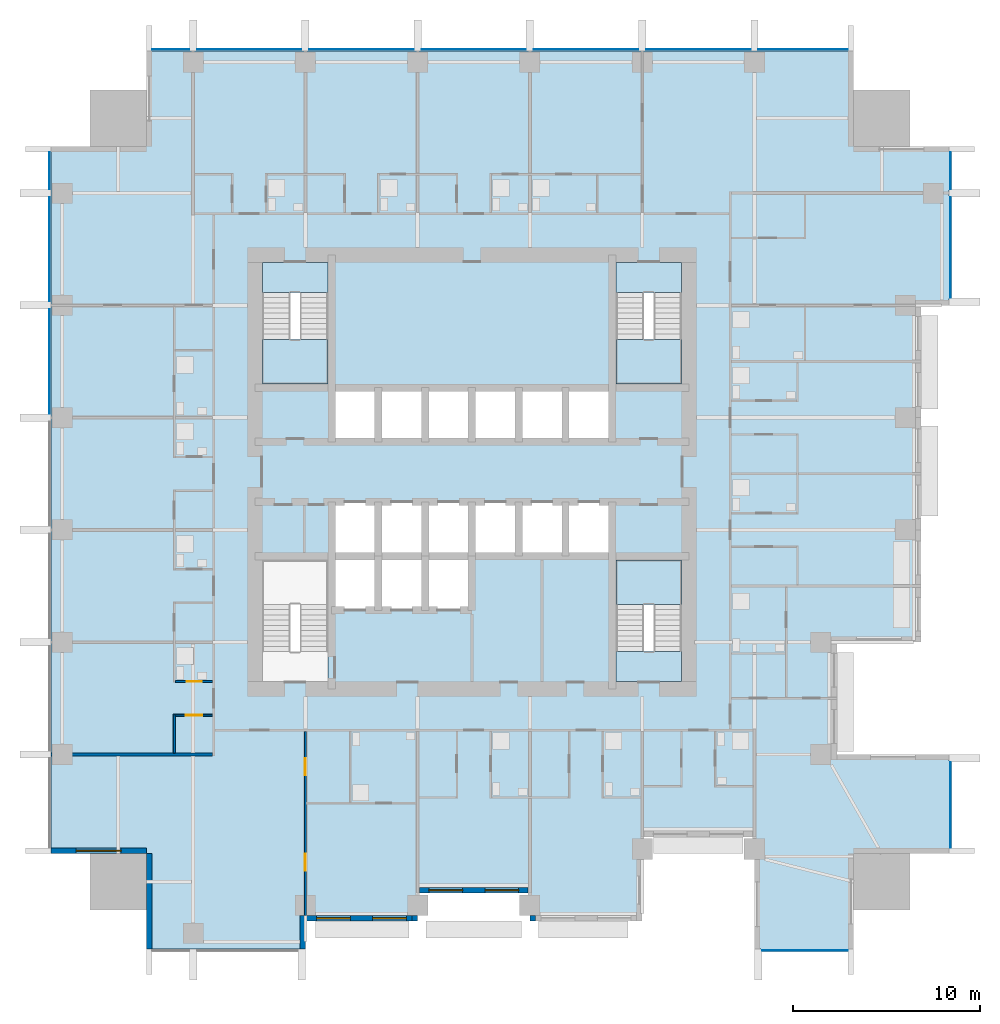
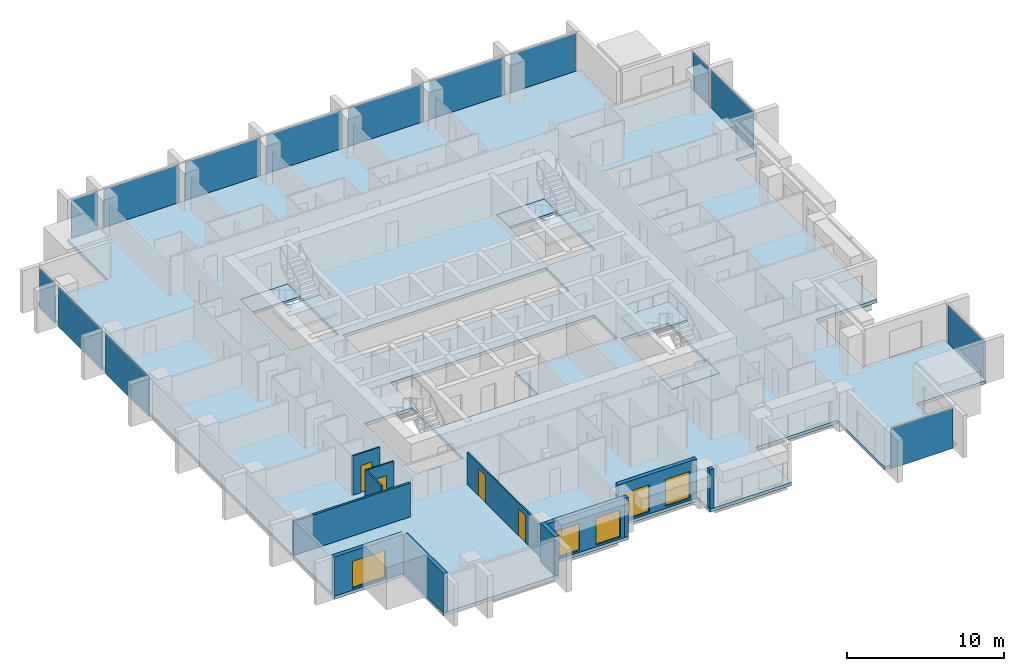
# One storey, part 3 of 11: 14 plates, 12 walls, 7 slabs, 5 windows, 4 doors, 9 openings, 8 elements without a shape of their own.
"""IFC4 building model written with IfcOpenShell, lengths in metres."""

from ifc_helpers import new_model, si_unit, direction, frame, frame_2d, origin, origin_2d, place, context, subcontext, project, spatial, polyline, rectangle, outline, extrude, material, layer, layer_set, type_object, element, fill, aggregate, save


model = new_model("IFC4")

# Units and contexts
model_context = context("Model", 3, precision=1e-05, world=origin(), true_north=direction((0.0, 1.0)))
body_context = subcontext(model_context, "Body", "Model", "MODEL_VIEW")
ifc_project = project(units=[si_unit("LENGTHUNIT", "METRE"), si_unit("AREAUNIT", "SQUARE_METRE"), si_unit("VOLUMEUNIT", "CUBIC_METRE"), si_unit("PLANEANGLEUNIT", "RADIAN"), si_unit("MASSUNIT", "GRAM", prefix="KILO")], contexts=[model_context])

# Site, building, storey
site_placement = place(None, origin())
site = spatial("IfcSite", under=ifc_project, at=site_placement, CompositionType="ELEMENT")
building_placement = place(site_placement, origin())
building = spatial("IfcBuilding", under=site, at=building_placement, Name="Amberfall Residences", CompositionType="ELEMENT")
storey_placement = place(building_placement, frame((0.0, 0.0, 95.199951171875)))
storey = spatial("IfcBuildingStorey", under=building, at=storey_placement, Name="L25", CompositionType="ELEMENT", Elevation=95.199951171875)

# Curtain wall, plate
ifc_material_1 = material(Name="Bronze anodised aluminium and glass", Category="aluminium")
curtain_wall_type = type_object("IfcCurtainWallType", Name="Curtain wall CW1 tower unit", PredefinedType="USERDEFINED", material=ifc_material_1)
curtain_wall_1_placement = place(storey_placement, origin())
curtain_wall_1 = element("IfcCurtainWall", 1, at=curtain_wall_1_placement, inside=storey, type_object=curtain_wall_type, Name="Curtain wall L25 S S11", ObjectType="UNITISED CURTAIN WALL", PredefinedType="USERDEFINED")
ifc_material_2 = material(Name="Tinted double glazed unit", Category="glass")
ifc_layer_1 = layer(ifc_material_2, 0.035888671875)
ifc_layer_set_1 = layer_set([ifc_layer_1], Name="CW1 panel 36 glazing")
plate_type = type_object("IfcPlateType", Name="CW1 panel 36 glazing", PredefinedType="CURTAIN_PANEL", material=ifc_layer_set_1)
plate_1_placement = place(storey_placement, frame((92.300048828125, 19.925048828125, -0.25), z_axis=(0.0, 0.0, 1.0), x_axis=(1.0, 0.0, 0.0)))
plate_1 = element("IfcPlate", 2, at=plate_1_placement, type_object=plate_type, Name="CW1 panel 1.1", PredefinedType="CURTAIN_PANEL", context=body_context, shape_type="SweptSolid", body=[
    extrude(rectangle(XDim=4.575927734375, YDim=0.035888671875, at=origin_2d()), origin(), (0.0, 0.0, 1.0), 3.14990234375),
])
aggregate(curtain_wall_1, [plate_1])

curtain_wall_2_placement = place(storey_placement, origin())
curtain_wall_2 = element("IfcCurtainWall", 3, at=curtain_wall_2_placement, inside=storey, type_object=curtain_wall_type, Name="Curtain wall L25 E E1", ObjectType="UNITISED CURTAIN WALL", PredefinedType="USERDEFINED")
plate_2_placement = place(storey_placement, frame((100.074951171875, 27.699951171875, -0.25), z_axis=(0.0, 0.0, 1.0), x_axis=(0.0, 1.0, 0.0)))
plate_2 = element("IfcPlate", 4, at=plate_2_placement, type_object=plate_type, Name="CW1 panel 1.1", PredefinedType="CURTAIN_PANEL", context=body_context, shape_type="SweptSolid", body=[
    extrude(rectangle(XDim=4.575927734375, YDim=0.035888671875, at=origin_2d()), origin(), (0.0, 0.0, 1.0), 3.14990234375),
])
aggregate(curtain_wall_2, [plate_2])

# Curtain wall, plates
curtain_wall_3_placement = place(storey_placement, origin())
curtain_wall_3 = element("IfcCurtainWall", 5, at=curtain_wall_3_placement, inside=storey, type_object=curtain_wall_type, Name="Curtain wall L25 E E9", ObjectType="UNITISED CURTAIN WALL", PredefinedType="USERDEFINED")
plate_3_placement = place(storey_placement, frame((100.074951171875, 57.5, -0.25), z_axis=(0.0, 0.0, 1.0), x_axis=(0.0, 1.0, 0.0)))
plate_3 = element("IfcPlate", 6, at=plate_3_placement, type_object=plate_type, Name="CW1 panel 1.1", PredefinedType="CURTAIN_PANEL", context=body_context, shape_type="SweptSolid", body=[
    extrude(rectangle(XDim=5.3759765625, YDim=0.035888671875, at=origin_2d()), origin(), (0.0, 0.0, 1.0), 3.14990234375),
])
plate_4_placement = place(storey_placement, frame((100.074951171875, 61.60009765625, -0.25), z_axis=(0.0, 0.0, 1.0), x_axis=(0.0, 1.0, 0.0)))
plate_4 = element("IfcPlate", 7, at=plate_4_placement, type_object=plate_type, Name="CW1 panel 2.1", PredefinedType="CURTAIN_PANEL", context=body_context, shape_type="SweptSolid", body=[
    extrude(rectangle(XDim=1.97607421875, YDim=0.035888671875, at=origin_2d()), origin(), (0.0, 0.0, 1.0), 3.14990234375),
])
aggregate(curtain_wall_3, [plate_3, plate_4])

curtain_wall_4_placement = place(storey_placement, origin())
curtain_wall_4 = element("IfcCurtainWall", 8, at=curtain_wall_4_placement, inside=storey, type_object=curtain_wall_type, Name="Curtain wall L25 N N1", ObjectType="UNITISED CURTAIN WALL", PredefinedType="USERDEFINED")
plate_5_placement = place(storey_placement, frame((92.199951171875, 68.074951171875, -0.25), z_axis=(0.0, 0.0, 1.0), x_axis=(-1.0, 0.0, 0.0)))
plate_5 = element("IfcPlate", 9, at=plate_5_placement, type_object=plate_type, Name="CW1 panel 1.1", PredefinedType="CURTAIN_PANEL", context=body_context, shape_type="SweptSolid", body=[
    extrude(rectangle(XDim=4.77587890625, YDim=0.035888671875, at=origin_2d()), origin(), (0.0, 0.0, 1.0), 3.14990234375),
])
plate_6_placement = place(storey_placement, frame((86.60009765625, 68.074951171875, -0.25), z_axis=(0.0, 0.0, 1.0), x_axis=(-1.0, 0.0, 0.0)))
plate_6 = element("IfcPlate", 10, at=plate_6_placement, type_object=plate_type, Name="CW1 panel 2.1", PredefinedType="CURTAIN_PANEL", context=body_context, shape_type="SweptSolid", body=[
    extrude(rectangle(XDim=5.575927734375, YDim=0.035888671875, at=origin_2d()), origin(), (0.0, 0.0, 1.0), 3.14990234375),
])
plate_7_placement = place(storey_placement, frame((80.60009765625, 68.074951171875, -0.25), z_axis=(0.0, 0.0, 1.0), x_axis=(-1.0, 0.0, 0.0)))
plate_7 = element("IfcPlate", 11, at=plate_7_placement, type_object=plate_type, Name="CW1 panel 3.1", PredefinedType="CURTAIN_PANEL", context=body_context, shape_type="SweptSolid", body=[
    extrude(rectangle(XDim=5.575927734375, YDim=0.035888671875, at=origin_2d()), origin(), (0.0, 0.0, 1.0), 3.14990234375),
])
plate_8_placement = place(storey_placement, frame((74.60009765625, 68.074951171875, -0.25), z_axis=(0.0, 0.0, 1.0), x_axis=(-1.0, 0.0, 0.0)))
plate_8 = element("IfcPlate", 12, at=plate_8_placement, type_object=plate_type, Name="CW1 panel 4.1", PredefinedType="CURTAIN_PANEL", context=body_context, shape_type="SweptSolid", body=[
    extrude(rectangle(XDim=5.575927734375, YDim=0.035888671875, at=origin_2d()), origin(), (0.0, 0.0, 1.0), 3.14990234375),
])
plate_9_placement = place(storey_placement, frame((68.60009765625, 68.074951171875, -0.25), z_axis=(0.0, 0.0, 1.0), x_axis=(-1.0, 0.0, 0.0)))
plate_9 = element("IfcPlate", 13, at=plate_9_placement, type_object=plate_type, Name="CW1 panel 5.1", PredefinedType="CURTAIN_PANEL", context=body_context, shape_type="SweptSolid", body=[
    extrude(rectangle(XDim=5.575927734375, YDim=0.035888671875, at=origin_2d()), origin(), (0.0, 0.0, 1.0), 3.14990234375),
])
plate_10_placement = place(storey_placement, frame((62.60009765625, 68.074951171875, -0.25), z_axis=(0.0, 0.0, 1.0), x_axis=(-1.0, 0.0, 0.0)))
plate_10 = element("IfcPlate", 14, at=plate_10_placement, type_object=plate_type, Name="CW1 panel 6.1", PredefinedType="CURTAIN_PANEL", context=body_context, shape_type="SweptSolid", body=[
    extrude(rectangle(XDim=5.575927734375, YDim=0.035888671875, at=origin_2d()), origin(), (0.0, 0.0, 1.0), 3.14990234375),
])
plate_11_placement = place(storey_placement, frame((58.39990234375, 68.074951171875, -0.25), z_axis=(0.0, 0.0, 1.0), x_axis=(-1.0, 0.0, 0.0)))
plate_11 = element("IfcPlate", 15, at=plate_11_placement, type_object=plate_type, Name="CW1 panel 7.1", PredefinedType="CURTAIN_PANEL", context=body_context, shape_type="SweptSolid", body=[
    extrude(rectangle(XDim=1.97607421875, YDim=0.035888671875, at=origin_2d()), origin(), (0.0, 0.0, 1.0), 3.14990234375),
])
aggregate(curtain_wall_4, [plate_5, plate_6, plate_7, plate_8, plate_9, plate_10, plate_11])

curtain_wall_5_placement = place(storey_placement, origin())
curtain_wall_5 = element("IfcCurtainWall", 16, at=curtain_wall_5_placement, inside=storey, type_object=curtain_wall_type, Name="Curtain wall L25 W W1", ObjectType="UNITISED CURTAIN WALL", PredefinedType="USERDEFINED")
plate_12_placement = place(storey_placement, frame((51.925048828125, 61.60009765625, -0.25), z_axis=(0.0, 0.0, 1.0), x_axis=(0.0, -1.0, 0.0)))
plate_12 = element("IfcPlate", 17, at=plate_12_placement, type_object=plate_type, Name="CW1 panel 1.1", PredefinedType="CURTAIN_PANEL", context=body_context, shape_type="SweptSolid", body=[
    extrude(rectangle(XDim=1.97607421875, YDim=0.035888671875, at=origin_2d()), origin(), (0.0, 0.0, 1.0), 3.14990234375),
])
plate_13_placement = place(storey_placement, frame((51.925048828125, 57.39990234375, -0.25), z_axis=(0.0, 0.0, 1.0), x_axis=(0.0, -1.0, 0.0)))
plate_13 = element("IfcPlate", 18, at=plate_13_placement, type_object=plate_type, Name="CW1 panel 2.1", PredefinedType="CURTAIN_PANEL", context=body_context, shape_type="SweptSolid", body=[
    extrude(rectangle(XDim=5.575927734375, YDim=0.035888671875, at=origin_2d()), origin(), (0.0, 0.0, 1.0), 3.14990234375),
])
plate_14_placement = place(storey_placement, frame((51.925048828125, 51.39990234375, -0.25), z_axis=(0.0, 0.0, 1.0), x_axis=(0.0, -1.0, 0.0)))
plate_14 = element("IfcPlate", 19, at=plate_14_placement, type_object=plate_type, Name="CW1 panel 3.1", PredefinedType="CURTAIN_PANEL", context=body_context, shape_type="SweptSolid", body=[
    extrude(rectangle(XDim=5.575927734375, YDim=0.035888671875, at=origin_2d()), origin(), (0.0, 0.0, 1.0), 3.14990234375),
])
aggregate(curtain_wall_5, [plate_12, plate_13, plate_14])

# Slab
ifc_material_3 = material(Name="Concrete C70", Category="concrete")
ifc_layer_2 = layer(ifc_material_3, 0.25)
ifc_layer_set_2 = layer_set([ifc_layer_2], Name="Floor slab 250 C70")
slab_type_1 = type_object("IfcSlabType", Name="Floor slab 250 C70", PredefinedType="FLOOR", material=ifc_layer_set_2)
slab_1_placement = place(storey_placement, frame((0.0, 0.0, -0.25)))
element("IfcSlab", 20, at=slab_1_placement, inside=storey, type_object=slab_type_1, Name="Floor slab S7 L25", PredefinedType="FLOOR", context=body_context, shape_type="SweptSolid", body=[
    extrude(outline(polyline([(89.60009765625, 20.0), (89.60009765625, 26.0), (83.60009765625, 26.0), (83.60009765625, 21.5), (77.60009765625, 21.5), (77.60009765625, 23.0), (71.60009765625, 23.0), (71.60009765625, 21.5), (65.60009765625, 21.5), (65.60009765625, 20.0), (57.10009765625, 20.0), (57.10009765625, 25.10009765625), (52.0, 25.10009765625), (52.0, 62.89990234375), (57.10009765625, 62.89990234375), (57.10009765625, 68.0), (94.89990234375, 68.0), (94.89990234375, 62.89990234375), (100.0, 62.89990234375), (100.0, 54.39990234375), (98.5, 54.39990234375), (98.5, 48.39990234375), (98.5, 42.39990234375), (98.5, 36.39990234375), (94.0, 36.39990234375), (94.0, 30.39990234375), (100.0, 30.39990234375), (100.0, 25.10009765625), (94.89990234375, 25.10009765625), (94.89990234375, 20.0), (89.60009765625, 20.0)]), holes=[polyline([(85.699951171875, 34.300048828125), (85.699951171875, 40.800048828125), (82.199951171875, 40.800048828125), (82.199951171875, 34.300048828125), (85.699951171875, 34.300048828125)]), polyline([(82.199951171875, 50.199951171875), (85.699951171875, 50.199951171875), (85.699951171875, 56.699951171875), (82.199951171875, 56.699951171875), (82.199951171875, 50.199951171875)]), polyline([(69.5, 50.0), (67.0, 50.0), (67.0, 47.10009765625), (69.5, 47.10009765625), (72.0, 47.10009765625), (74.5, 47.10009765625), (77.0, 47.10009765625), (79.5, 47.10009765625), (82.0, 47.10009765625), (82.0, 50.0), (79.5, 50.0), (77.0, 50.0), (74.5, 50.0), (72.0, 50.0), (69.5, 50.0)]), polyline([(74.5, 41.0), (77.0, 41.0), (79.5, 41.0), (82.0, 41.0), (82.0, 43.89990234375), (79.5, 43.89990234375), (77.0, 43.89990234375), (74.5, 43.89990234375), (72.0, 43.89990234375), (69.5, 43.89990234375), (67.0, 43.89990234375), (67.0, 41.0), (67.0, 38.10009765625), (69.5, 38.10009765625), (72.0, 38.10009765625), (74.5, 38.10009765625), (74.5, 41.0)]), polyline([(66.800048828125, 34.300048828125), (66.800048828125, 40.800048828125), (63.300048828125, 40.800048828125), (63.300048828125, 34.300048828125), (66.800048828125, 34.300048828125)]), polyline([(66.800048828125, 50.199951171875), (66.800048828125, 56.699951171875), (63.300048828125, 56.699951171875), (63.300048828125, 50.199951171875), (66.800048828125, 50.199951171875)])]), origin(), (0.0, 0.0, 1.0), 0.25),
])

# Stair, slabs
ifc_material_4 = material(Name="Concrete C40", Category="concrete")
stair_type = type_object("IfcStairType", Name="Exit stair 20 risers 165.0 mm", PredefinedType="HALF_TURN_STAIR", material=ifc_material_4)
stair_1_placement = place(storey_placement, origin())
stair_1 = element("IfcStair", 21, at=stair_1_placement, inside=storey, type_object=stair_type, Name="L25 Exit stair 2", PredefinedType="HALF_TURN_STAIR")
ifc_layer_3 = layer(ifc_material_4, 0.199951171875)
ifc_layer_set_3 = layer_set([ifc_layer_3], Name="Stair landing 200")
slab_type_2 = type_object("IfcSlabType", Name="Stair landing 200", PredefinedType="LANDING", material=ifc_layer_set_3)
slab_2_placement = place(storey_placement, frame((0.0, 0.0, 1.449951171875)))
slab_2 = element("IfcSlab", 22, at=slab_2_placement, type_object=slab_type_2, Name="ST3 landing 1", PredefinedType="LANDING", context=body_context, shape_type="SweptSolid", body=[
    extrude(outline(polyline([(85.699951171875, 38.419921875), (85.699951171875, 40.800048828125), (82.199951171875, 40.800048828125), (82.199951171875, 38.419921875), (85.699951171875, 38.419921875)])), origin(), (0.0, 0.0, 1.0), 0.2001953125),
])
slab_3_placement = place(storey_placement, frame((0.0, 0.0, -0.199951171875)))
slab_3 = element("IfcSlab", 23, at=slab_3_placement, type_object=slab_type_2, Name="ST3 landing 2", PredefinedType="LANDING", context=body_context, shape_type="SweptSolid", body=[
    extrude(outline(polyline([(85.699951171875, 34.300048828125), (85.699951171875, 35.89990234375), (82.199951171875, 35.89990234375), (82.199951171875, 34.300048828125), (85.699951171875, 34.300048828125)])), origin(), (0.0, 0.0, 1.0), 0.199951171875),
])
aggregate(stair_1, [slab_2, slab_3])

stair_2_placement = place(storey_placement, origin())
stair_2 = element("IfcStair", 24, at=stair_2_placement, inside=storey, type_object=stair_type, Name="L25 Exit stair 3", PredefinedType="HALF_TURN_STAIR")
slab_4_placement = place(storey_placement, frame((0.0, 0.0, 1.449951171875)))
slab_4 = element("IfcSlab", 25, at=slab_4_placement, type_object=slab_type_2, Name="ST3 landing 1", PredefinedType="LANDING", context=body_context, shape_type="SweptSolid", body=[
    extrude(outline(polyline([(82.199951171875, 52.580078125), (82.199951171875, 50.199951171875), (85.699951171875, 50.199951171875), (85.699951171875, 52.580078125), (82.199951171875, 52.580078125)])), origin(), (0.0, 0.0, 1.0), 0.2001953125),
])
slab_5_placement = place(storey_placement, frame((0.0, 0.0, -0.199951171875)))
slab_5 = element("IfcSlab", 26, at=slab_5_placement, type_object=slab_type_2, Name="ST3 landing 2", PredefinedType="LANDING", context=body_context, shape_type="SweptSolid", body=[
    extrude(outline(polyline([(82.199951171875, 56.699951171875), (82.199951171875, 55.10009765625), (85.699951171875, 55.10009765625), (85.699951171875, 56.699951171875), (82.199951171875, 56.699951171875)])), origin(), (0.0, 0.0, 1.0), 0.199951171875),
])
aggregate(stair_2, [slab_4, slab_5])

stair_3_placement = place(storey_placement, origin())
stair_3 = element("IfcStair", 27, at=stair_3_placement, inside=storey, type_object=stair_type, Name="L25 Exit stair 4", PredefinedType="HALF_TURN_STAIR")
slab_6_placement = place(storey_placement, frame((0.0, 0.0, 1.449951171875)))
slab_6 = element("IfcSlab", 28, at=slab_6_placement, type_object=slab_type_2, Name="ST3 landing 1", PredefinedType="LANDING", context=body_context, shape_type="SweptSolid", body=[
    extrude(outline(polyline([(63.300048828125, 52.580078125), (63.300048828125, 50.199951171875), (66.800048828125, 50.199951171875), (66.800048828125, 52.580078125), (63.300048828125, 52.580078125)])), origin(), (0.0, 0.0, 1.0), 0.2001953125),
])
slab_7_placement = place(storey_placement, frame((0.0, 0.0, -0.199951171875)))
slab_7 = element("IfcSlab", 29, at=slab_7_placement, type_object=slab_type_2, Name="ST3 landing 2", PredefinedType="LANDING", context=body_context, shape_type="SweptSolid", body=[
    extrude(outline(polyline([(63.300048828125, 56.699951171875), (63.300048828125, 55.10009765625), (66.800048828125, 55.10009765625), (66.800048828125, 56.699951171875), (63.300048828125, 56.699951171875)])), origin(), (0.0, 0.0, 1.0), 0.199951171875),
])
aggregate(stair_3, [slab_6, slab_7])

# Walls
ifc_material_5 = material(Name="Pale stone cladding on insulated backing", Category="masonry")
ifc_layer_4 = layer(ifc_material_5, 0.300048828125)
ifc_layer_set_4 = layer_set([ifc_layer_4], Name="Bronze clad wall 300")
wall_type_1 = type_object("IfcWallType", Name="Bronze clad wall 300", PredefinedType="SOLIDWALL", material=ifc_layer_set_4)
wall_1_placement = place(storey_placement, frame((65.449951171875, 20.0, 0.0), z_axis=(0.0, 0.0, 1.0), x_axis=(0.0, 1.0, 0.0)))
element("IfcWall", 30, at=wall_1_placement, inside=storey, type_object=wall_type_1, Name="External wall L25 S", PredefinedType="SOLIDWALL", context=body_context, shape_type="SweptSolid", body=[
    extrude(rectangle(XDim=1.800048828125, YDim=0.300048828125, at=frame_2d((0.89990234375, 0.0))), origin(), (0.0, 0.0, 1.0), 3.050048828125),
])
for number, where, z_axis, x_axis, name in (
    (31, (71.449951171875, 21.5, 0.0), (0.0, 0.0, 1.0), (0.0, 1.0, 0.0), "External wall L25 S"),
    (32, (77.75, 21.800048828125, 0.0), (0.0, 0.0, 1.0), (0.0, -1.0, 0.0), "External wall L25 S"),
):
    element("IfcWall", number, at=place(storey_placement, frame(where, z_axis=z_axis, x_axis=x_axis)), inside=storey, type_object=wall_type_1, Name=name, PredefinedType="SOLIDWALL", context=body_context, shape_type="SweptSolid", body=[
        extrude(rectangle(XDim=0.300048828125, YDim=0.300048828125, at=frame_2d((0.14990234375, 0.0))), origin(), (0.0, 0.0, 1.0), 3.050048828125),
    ])

# Wall, opening, window
wall_2_placement = place(storey_placement, frame((52.0, 25.25, 0.0), z_axis=(0.0, 0.0, 1.0), x_axis=(1.0, 0.0, 0.0)))
wall_2 = element("IfcWall", 33, at=wall_2_placement, inside=storey, type_object=wall_type_1, Name="External wall L25 SW", PredefinedType="SOLIDWALL", context=body_context, shape_type="SweptSolid", body=[
    extrude(rectangle(XDim=5.10009765625, YDim=0.300048828125, at=frame_2d((2.550048828125, 0.0))), origin(), (0.0, 0.0, 1.0), 3.050048828125),
])
opening_1_placement = place(wall_2_placement, frame((1.35009765625, 0.0, 0.14990234375)))
opening_1 = element("IfcOpeningElement", 34, at=opening_1_placement, cuts=wall_2, Name="Opening WN5", PredefinedType="OPENING", context=body_context, shape_type="SweptSolid", body=[
    extrude(rectangle(XDim=2.39990234375, YDim=2.10009765625, at=frame_2d((1.199951171875, 1.050048828125))), frame((0.0, 0.159912109375, 0.0), z_axis=(0.0, -1.0, 0.0), x_axis=(1.0, 0.0, 0.0)), (0.0, 0.0, 1.0), 0.320068359375),
])
ifc_material_6 = material(Name="Bronze aluminium framed glazing", Category="aluminium")
window_type_1 = type_object("IfcWindowType", Name="Glazed opening 2400 x 2100 bronze", PartitioningType="DOUBLE_PANEL_VERTICAL", PredefinedType="WINDOW", material=ifc_material_6)
window_1_placement = place(opening_1_placement, origin())
window_1 = element("IfcWindow", 35, at=window_1_placement, inside=storey, type_object=window_type_1, Name="Window L25 SW", OverallHeight=2.10009765625, OverallWidth=2.39990234375, PartitioningType="DOUBLE_PANEL_VERTICAL", PredefinedType="WINDOW", context=body_context, shape_type="SweptSolid", body=[
    extrude(rectangle(XDim=2.39990234375, YDim=2.10009765625, at=frame_2d((1.199951171875, 1.050048828125))), frame((0.0, 0.030029296875, 0.0), z_axis=(0.0, -1.0, 0.0), x_axis=(1.0, 0.0, 0.0)), (0.0, 0.0, 1.0), 0.06005859375),
])
fill(opening_1, window_1)

# Wall
wall_3_placement = place(storey_placement, frame((57.25, 25.10009765625, 0.0), z_axis=(0.0, 0.0, 1.0), x_axis=(0.0, -1.0, 0.0)))
element("IfcWall", 36, at=wall_3_placement, inside=storey, type_object=wall_type_1, Name="External wall L25 SW", PredefinedType="SOLIDWALL", context=body_context, shape_type="SweptSolid", body=[
    extrude(rectangle(XDim=5.10009765625, YDim=0.300048828125, at=frame_2d((2.550048828125, 0.0))), origin(), (0.0, 0.0, 1.0), 3.050048828125),
])

# Wall, openings, windows
wall_4_placement = place(storey_placement, frame((65.60009765625, 21.64990234375, 0.0), z_axis=(0.0, 0.0, 1.0), x_axis=(1.0, 0.0, 0.0)))
wall_4 = element("IfcWall", 37, at=wall_4_placement, inside=storey, type_object=wall_type_1, Name="Stone wall L25 S", PredefinedType="SOLIDWALL", context=body_context, shape_type="SweptSolid", body=[
    extrude(rectangle(XDim=5.699951171875, YDim=0.300048828125, at=frame_2d((2.85009765625, 0.0))), origin(), (0.0, 0.0, 1.0), 3.050048828125),
])
opening_2_placement = place(wall_4_placement, frame((0.60009765625, 0.0, 0.14990234375)))
opening_2 = element("IfcOpeningElement", 38, at=opening_2_placement, cuts=wall_4, Name="Opening WN6", PredefinedType="OPENING", context=body_context, shape_type="SweptSolid", body=[
    extrude(rectangle(XDim=1.800048828125, YDim=2.10009765625, at=frame_2d((0.89990234375, 1.050048828125))), frame((0.0, 0.159912109375, 0.0), z_axis=(0.0, -1.0, 0.0), x_axis=(1.0, 0.0, 0.0)), (0.0, 0.0, 1.0), 0.320068359375),
])
opening_3_placement = place(wall_4_placement, frame((3.60009765625, 0.0, 0.14990234375)))
opening_3 = element("IfcOpeningElement", 39, at=opening_3_placement, cuts=wall_4, Name="Opening WN6", PredefinedType="OPENING", context=body_context, shape_type="SweptSolid", body=[
    extrude(rectangle(XDim=1.800048828125, YDim=2.10009765625, at=frame_2d((0.89990234375, 1.050048828125))), frame((0.0, 0.159912109375, 0.0), z_axis=(0.0, -1.0, 0.0), x_axis=(1.0, 0.0, 0.0)), (0.0, 0.0, 1.0), 0.320068359375),
])
window_type_2 = type_object("IfcWindowType", Name="Glazed opening 1800 x 2100 bronze", PartitioningType="DOUBLE_PANEL_VERTICAL", PredefinedType="WINDOW", material=ifc_material_6)
window_2_placement = place(opening_2_placement, origin())
window_2 = element("IfcWindow", 40, at=window_2_placement, inside=storey, type_object=window_type_2, Name="Window L25 S", OverallHeight=2.10009765625, OverallWidth=1.800048828125, PartitioningType="DOUBLE_PANEL_VERTICAL", PredefinedType="WINDOW", context=body_context, shape_type="SweptSolid", body=[
    extrude(rectangle(XDim=1.800048828125, YDim=2.10009765625, at=frame_2d((0.89990234375, 1.050048828125))), frame((0.0, 0.030029296875, 0.0), z_axis=(0.0, -1.0, 0.0), x_axis=(1.0, 0.0, 0.0)), (0.0, 0.0, 1.0), 0.06005859375),
])
fill(opening_2, window_2)
window_3_placement = place(opening_3_placement, origin())
window_3 = element("IfcWindow", 41, at=window_3_placement, inside=storey, type_object=window_type_2, Name="Window L25 S", OverallHeight=2.10009765625, OverallWidth=1.800048828125, PartitioningType="DOUBLE_PANEL_VERTICAL", PredefinedType="WINDOW", context=body_context, shape_type="SweptSolid", body=[
    extrude(rectangle(XDim=1.800048828125, YDim=2.10009765625, at=frame_2d((0.89990234375, 1.050048828125))), frame((0.0, 0.030029296875, 0.0), z_axis=(0.0, -1.0, 0.0), x_axis=(1.0, 0.0, 0.0)), (0.0, 0.0, 1.0), 0.06005859375),
])
fill(opening_3, window_3)

wall_5_placement = place(storey_placement, frame((71.7099609375, 23.14990234375, 0.0), z_axis=(0.0, 0.0, 1.0), x_axis=(1.0, 0.0, 0.0)))
wall_5 = element("IfcWall", 42, at=wall_5_placement, inside=storey, type_object=wall_type_1, Name="Stone wall L25 S", PredefinedType="SOLIDWALL", context=body_context, shape_type="SweptSolid", body=[
    extrude(rectangle(XDim=5.780029296875, YDim=0.300048828125, at=frame_2d((2.89013671875, 0.0))), origin(), (0.0, 0.0, 1.0), 3.050048828125),
])
opening_4_placement = place(wall_5_placement, frame((0.489990234375, 0.0, 0.14990234375)))
opening_4 = element("IfcOpeningElement", 43, at=opening_4_placement, cuts=wall_5, Name="Opening WN6", PredefinedType="OPENING", context=body_context, shape_type="SweptSolid", body=[
    extrude(rectangle(XDim=1.800048828125, YDim=2.10009765625, at=frame_2d((0.89990234375, 1.050048828125))), frame((0.0, 0.159912109375, 0.0), z_axis=(0.0, -1.0, 0.0), x_axis=(1.0, 0.0, 0.0)), (0.0, 0.0, 1.0), 0.320068359375),
])
opening_5_placement = place(wall_5_placement, frame((3.489990234375, 0.0, 0.14990234375)))
opening_5 = element("IfcOpeningElement", 44, at=opening_5_placement, cuts=wall_5, Name="Opening WN6", PredefinedType="OPENING", context=body_context, shape_type="SweptSolid", body=[
    extrude(rectangle(XDim=1.800048828125, YDim=2.10009765625, at=frame_2d((0.89990234375, 1.050048828125))), frame((0.0, 0.159912109375, 0.0), z_axis=(0.0, -1.0, 0.0), x_axis=(1.0, 0.0, 0.0)), (0.0, 0.0, 1.0), 0.320068359375),
])
window_4_placement = place(opening_4_placement, origin())
window_4 = element("IfcWindow", 45, at=window_4_placement, inside=storey, type_object=window_type_2, Name="Window L25 S", OverallHeight=2.10009765625, OverallWidth=1.800048828125, PartitioningType="DOUBLE_PANEL_VERTICAL", PredefinedType="WINDOW", context=body_context, shape_type="SweptSolid", body=[
    extrude(rectangle(XDim=1.800048828125, YDim=2.10009765625, at=frame_2d((0.89990234375, 1.050048828125))), frame((0.0, 0.030029296875, 0.0), z_axis=(0.0, -1.0, 0.0), x_axis=(1.0, 0.0, 0.0)), (0.0, 0.0, 1.0), 0.06005859375),
])
fill(opening_4, window_4)
window_5_placement = place(opening_5_placement, origin())
window_5 = element("IfcWindow", 46, at=window_5_placement, inside=storey, type_object=window_type_2, Name="Window L25 S", OverallHeight=2.10009765625, OverallWidth=1.800048828125, PartitioningType="DOUBLE_PANEL_VERTICAL", PredefinedType="WINDOW", context=body_context, shape_type="SweptSolid", body=[
    extrude(rectangle(XDim=1.800048828125, YDim=2.10009765625, at=frame_2d((0.89990234375, 1.050048828125))), frame((0.0, 0.030029296875, 0.0), z_axis=(0.0, -1.0, 0.0), x_axis=(1.0, 0.0, 0.0)), (0.0, 0.0, 1.0), 0.06005859375),
])
fill(opening_5, window_5)

# Wall
ifc_material_7 = material(Name="Gypsum board on metal stud")
ifc_layer_5 = layer(ifc_material_7, 0.10009765625)
ifc_layer_set_5 = layer_set([ifc_layer_5], Name="Flat partition 100")
wall_type_2 = type_object("IfcWallType", Name="Flat partition 100", PredefinedType="PARTITIONING", material=ifc_layer_set_5)
wall_6_placement = place(storey_placement, frame((58.60009765625, 30.47509765625, 0.0), z_axis=(0.0, 0.0, 1.0), x_axis=(0.0, 1.0, 0.0)))
element("IfcWall", 47, at=wall_6_placement, inside=storey, type_object=wall_type_2, Name="Partition 001", PredefinedType="PARTITIONING", context=body_context, shape_type="SweptSolid", body=[
    extrude(rectangle(XDim=2.074951171875, YDim=0.10009765625, at=frame_2d((1.03759765625, 0.0))), origin(), (0.0, 0.0, 1.0), 3.050048828125),
])

# Wall, openings, doors
wall_7_placement = place(storey_placement, frame((65.60009765625, 31.625, 0.0), z_axis=(0.0, 0.0, 1.0), x_axis=(0.0, -1.0, 0.0)))
wall_7 = element("IfcWall", 48, at=wall_7_placement, inside=storey, type_object=wall_type_2, Name="Partition 007", PredefinedType="PARTITIONING", context=body_context, shape_type="SweptSolid", body=[
    extrude(rectangle(XDim=10.125, YDim=0.10009765625, at=frame_2d((5.0625, 0.0))), origin(), (0.0, 0.0, 1.0), 2.51611328125),
])
opening_6_placement = place(wall_7_placement, frame((1.425048828125, 0.0, 0.0)))
opening_6 = element("IfcOpeningElement", 49, at=opening_6_placement, cuts=wall_7, Name="Opening D41", PredefinedType="OPENING", context=body_context, shape_type="SweptSolid", body=[
    extrude(rectangle(XDim=0.89990234375, YDim=2.10009765625, at=frame_2d((0.449951171875, 1.050048828125))), frame((0.0, 0.06005859375, 0.0), z_axis=(0.0, -1.0, 0.0), x_axis=(1.0, 0.0, 0.0)), (0.0, 0.0, 1.0), 0.1201171875),
])
opening_7_placement = place(wall_7_placement, frame((6.52490234375, 0.0, 0.0)))
opening_7 = element("IfcOpeningElement", 50, at=opening_7_placement, cuts=wall_7, Name="Opening D41", PredefinedType="OPENING", context=body_context, shape_type="SweptSolid", body=[
    extrude(rectangle(XDim=0.89990234375, YDim=2.10009765625, at=frame_2d((0.449951171875, 1.050048828125))), frame((0.0, 0.06005859375, 0.0), z_axis=(0.0, -1.0, 0.0), x_axis=(1.0, 0.0, 0.0)), (0.0, 0.0, 1.0), 0.1201171875),
])
ifc_material_8 = material(Name="Timber", Category="wood")
door_type_1 = type_object("IfcDoorType", Name="Internal door 900 x 2100", OperationType="SINGLE_SWING_LEFT", PredefinedType="DOOR", material=ifc_material_8)
door_1_placement = place(opening_6_placement, origin())
door_1 = element("IfcDoor", 51, at=door_1_placement, inside=storey, type_object=door_type_1, Name="Door 2501 kitchen", OperationType="SINGLE_SWING_LEFT", OverallHeight=2.10009765625, OverallWidth=0.89990234375, PredefinedType="DOOR", context=body_context, shape_type="SweptSolid", body=[
    extrude(rectangle(XDim=0.89990234375, YDim=2.10009765625, at=frame_2d((0.449951171875, 1.050048828125))), frame((0.0, 0.02490234375, 0.0), z_axis=(0.0, -1.0, 0.0), x_axis=(1.0, 0.0, 0.0)), (0.0, 0.0, 1.0), 0.050048828125),
])
fill(opening_6, door_1)
door_2_placement = place(opening_7_placement, origin())
door_2 = element("IfcDoor", 52, at=door_2_placement, inside=storey, type_object=door_type_1, Name="Door 2501 bedroom1", OperationType="SINGLE_SWING_LEFT", OverallHeight=2.10009765625, OverallWidth=0.89990234375, PredefinedType="DOOR", context=body_context, shape_type="SweptSolid", body=[
    extrude(rectangle(XDim=0.89990234375, YDim=2.10009765625, at=frame_2d((0.449951171875, 1.050048828125))), frame((0.0, 0.02490234375, 0.0), z_axis=(0.0, -1.0, 0.0), x_axis=(1.0, 0.0, 0.0)), (0.0, 0.0, 1.0), 0.050048828125),
])
fill(opening_7, door_2)

# Wall, opening, door
wall_8_placement = place(storey_placement, frame((58.64990234375, 34.300048828125, 0.0), z_axis=(0.0, 0.0, 1.0), x_axis=(1.0, 0.0, 0.0)))
wall_8 = element("IfcWall", 53, at=wall_8_placement, inside=storey, type_object=wall_type_2, Name="Partition 044", PredefinedType="PARTITIONING", context=body_context, shape_type="SweptSolid", body=[
    extrude(rectangle(XDim=1.97509765625, YDim=0.10009765625, at=frame_2d((0.987548828125, 0.0))), origin(), (0.0, 0.0, 1.0), 3.050048828125),
])
opening_8_placement = place(wall_8_placement, frame((0.60009765625, 0.0, 0.0)))
opening_8 = element("IfcOpeningElement", 54, at=opening_8_placement, cuts=wall_8, Name="Opening D42", PredefinedType="OPENING", context=body_context, shape_type="SweptSolid", body=[
    extrude(rectangle(XDim=0.800048828125, YDim=2.10009765625, at=frame_2d((0.39990234375, 1.050048828125))), frame((0.0, 0.06005859375, 0.0), z_axis=(0.0, -1.0, 0.0), x_axis=(1.0, 0.0, 0.0)), (0.0, 0.0, 1.0), 0.1201171875),
])
door_type_2 = type_object("IfcDoorType", Name="Bathroom door 800 x 2100", OperationType="SINGLE_SWING_LEFT", PredefinedType="DOOR", material=ifc_material_8)
door_3_placement = place(opening_8_placement, origin())
door_3 = element("IfcDoor", 55, at=door_3_placement, inside=storey, type_object=door_type_2, Name="Door 2513 bath1", OperationType="SINGLE_SWING_LEFT", OverallHeight=2.10009765625, OverallWidth=0.800048828125, PredefinedType="DOOR", context=body_context, shape_type="SweptSolid", body=[
    extrude(rectangle(XDim=0.800048828125, YDim=2.10009765625, at=frame_2d((0.39990234375, 1.050048828125))), frame((0.0, 0.02490234375, 0.0), z_axis=(0.0, -1.0, 0.0), x_axis=(1.0, 0.0, 0.0)), (0.0, 0.0, 1.0), 0.050048828125),
])
fill(opening_8, door_3)

wall_9_placement = place(storey_placement, frame((60.625, 32.5, 0.0), z_axis=(0.0, 0.0, 1.0), x_axis=(-1.0, 0.0, 0.0)))
wall_9 = element("IfcWall", 56, at=wall_9_placement, inside=storey, type_object=wall_type_2, Name="Partition 046", PredefinedType="PARTITIONING", context=body_context, shape_type="SweptSolid", body=[
    extrude(rectangle(XDim=1.97509765625, YDim=0.10009765625, at=frame_2d((0.987548828125, 0.0))), origin(), (0.0, 0.0, 1.0), 3.050048828125),
])
opening_9_placement = place(wall_9_placement, frame((0.52490234375, 0.0, 0.0)))
opening_9 = element("IfcOpeningElement", 57, at=opening_9_placement, cuts=wall_9, Name="Opening D41", PredefinedType="OPENING", context=body_context, shape_type="SweptSolid", body=[
    extrude(rectangle(XDim=0.89990234375, YDim=2.10009765625, at=frame_2d((0.449951171875, 1.050048828125))), frame((0.0, 0.06005859375, 0.0), z_axis=(0.0, -1.0, 0.0), x_axis=(1.0, 0.0, 0.0)), (0.0, 0.0, 1.0), 0.1201171875),
])
door_4_placement = place(opening_9_placement, origin())
door_4 = element("IfcDoor", 58, at=door_4_placement, inside=storey, type_object=door_type_1, Name="Door 2513 kitchen", OperationType="SINGLE_SWING_LEFT", OverallHeight=2.10009765625, OverallWidth=0.89990234375, PredefinedType="DOOR", context=body_context, shape_type="SweptSolid", body=[
    extrude(rectangle(XDim=0.89990234375, YDim=2.10009765625, at=frame_2d((0.449951171875, 1.050048828125))), frame((0.0, 0.02490234375, 0.0), z_axis=(0.0, -1.0, 0.0), x_axis=(1.0, 0.0, 0.0)), (0.0, 0.0, 1.0), 0.050048828125),
])
fill(opening_9, door_4)

# Wall
ifc_material_9 = material(Name="Blockwork, plastered", Category="masonry")
ifc_layer_6 = layer(ifc_material_9, 0.14990234375)
ifc_layer_set_6 = layer_set([ifc_layer_6], Name="Flat separating wall 150")
wall_type_3 = type_object("IfcWallType", Name="Flat separating wall 150", PredefinedType="PARTITIONING", material=ifc_layer_set_6)
wall_10_placement = place(storey_placement, frame((52.0, 30.39990234375, 0.0), z_axis=(0.0, 0.0, 1.0), x_axis=(1.0, 0.0, 0.0)))
element("IfcWall", 59, at=wall_10_placement, inside=storey, type_object=wall_type_3, Name="Separating wall 072", PredefinedType="PARTITIONING", context=body_context, shape_type="SweptSolid", body=[
    extrude(rectangle(XDim=8.625, YDim=0.14990234375, at=frame_2d((4.3125, 0.0))), origin(), (0.0, 0.0, 1.0), 2.64697265625),
])

save(model, "model.ifc")
